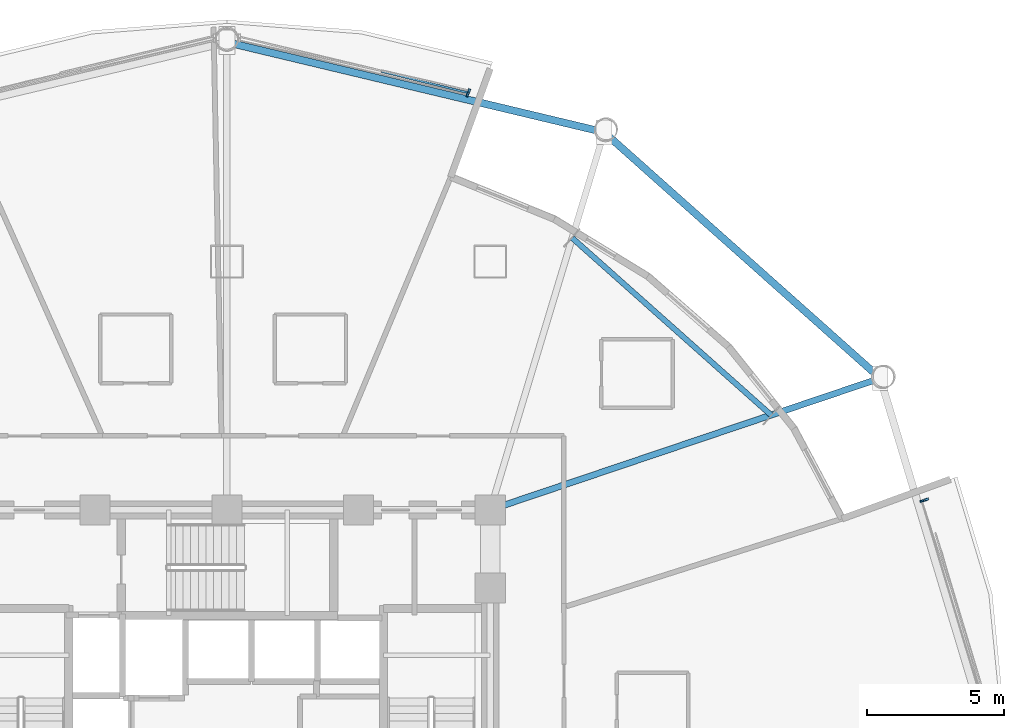
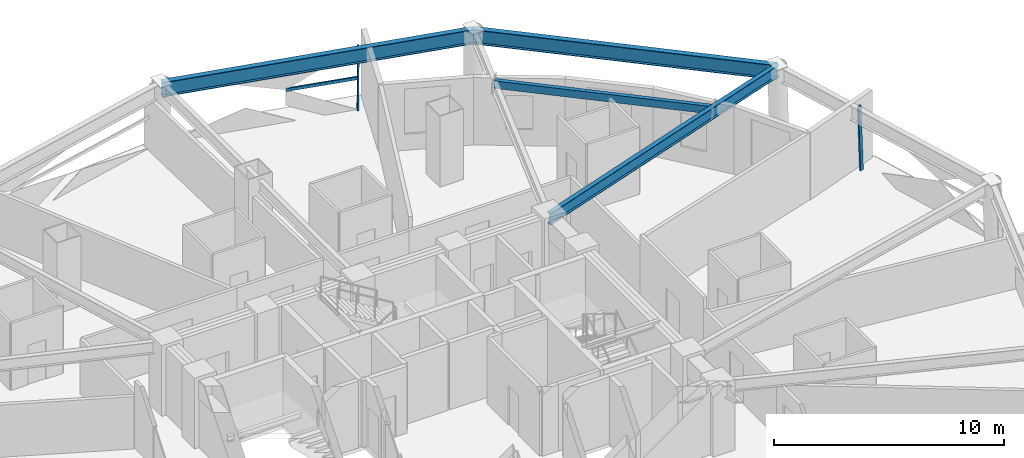
# One storey, part 5 of 16: 4 beams, 3 members, 2 elements without a shape of their own.
"""IFC4 building model written with IfcOpenShell, lengths in metres."""

from ifc_helpers import new_model, si_unit, direction, frame, origin, origin_2d, place, context, subcontext, project, spatial, hollow_rectangle, i_section, extrude, material, layer, layer_set, material_profile, profile_set, type_object, element, aggregate, save


model = new_model("IFC4")

# Units and contexts
model_context = context("Model", 3, precision=1e-05, world=origin(), true_north=direction((0.0, 1.0)))
body_context = subcontext(model_context, "Body", "Model", "MODEL_VIEW")
ifc_project = project(units=[si_unit("LENGTHUNIT", "METRE"), si_unit("AREAUNIT", "SQUARE_METRE"), si_unit("VOLUMEUNIT", "CUBIC_METRE"), si_unit("PLANEANGLEUNIT", "RADIAN"), si_unit("MASSUNIT", "GRAM", prefix="KILO")], contexts=[model_context])

# Site, building, storey
site_placement = place(None, origin())
site = spatial("IfcSite", under=ifc_project, at=site_placement, CompositionType="ELEMENT")
building_placement = place(site_placement, origin())
building = spatial("IfcBuilding", under=site, at=building_placement, Name="Vantalir Tower", CompositionType="ELEMENT")
storey_placement = place(building_placement, frame((0.0, 0.0, 75.75)))
storey = spatial("IfcBuildingStorey", under=building, at=storey_placement, Name="L18", CompositionType="ELEMENT", Elevation=75.75)

# Beams
ifc_material_1 = material(Name="Steel S355", Category="steel")
ifc_material_profile_1 = material_profile(ifc_material_1, i_section(OverallWidth=0.22998046875, OverallDepth=0.616943359375, WebThickness=0.01318359375, FlangeThickness=0.022216796875, at=origin_2d()), Name="Steel S355")
ifc_profile_set_1 = profile_set([ifc_material_profile_1], Name="Steel S355")
beam_type_1 = type_object("IfcBeamType", Name="BM-RB-610x229", PredefinedType="BEAM", material=ifc_profile_set_1)
beam_1_placement = place(storey_placement, frame((55.31591796875, 37.2470703125, 3.261962890625), z_axis=(-0.947506822468, -0.319735549129, 0.0), x_axis=(0.319735549129, -0.947506822468, 0.0)))
element("IfcBeam", 1, at=beam_1_placement, inside=storey, type_object=beam_type_1, Name="L18 Radial Floor Beam 02", PredefinedType="BEAM", context=body_context, shape_type="SweptSolid", body=[
    extrude(i_section(OverallWidth=0.22998046875, OverallDepth=0.616943359375, WebThickness=0.01318359375, FlangeThickness=0.022216796875, at=origin_2d()), origin(), (0.0, 0.0, 1.0), 15.00341796875),
])
ifc_material_2 = material(Name="Steel S460", Category="steel")
ifc_material_profile_2 = material_profile(ifc_material_2, i_section(OverallWidth=0.26806640625, OverallDepth=0.77001953125, WebThickness=0.015625, FlangeThickness=0.025390625, at=origin_2d()), Name="Steel S460")
ifc_profile_set_2 = profile_set([ifc_material_profile_2], Name="Steel S460")
beam_type_2 = type_object("IfcBeamType", Name="BM-RG-762x267", PredefinedType="USERDEFINED", material=ifc_profile_set_2)
beam_2_placement = place(storey_placement, frame((55.31591796875, 37.2470703125, 3.18505859375), z_axis=(-0.746733439209, 0.665123425213, 0.0), x_axis=(-0.665123425213, -0.746733439209, 0.0)))
element("IfcBeam", 2, at=beam_2_placement, inside=storey, type_object=beam_type_2, Name="L18 Circumferential Ring Girder 02", ObjectType="GIRDER", PredefinedType="USERDEFINED", context=body_context, shape_type="SweptSolid", body=[
    extrude(i_section(OverallWidth=0.26806640625, OverallDepth=0.77001953125, WebThickness=0.015625, FlangeThickness=0.025390625, at=origin_2d()), origin(), (0.0, 0.0, 1.0), 13.47998046875),
])
beam_3_placement = place(storey_placement, frame((45.25, 46.212890625, 3.18505859375), z_axis=(-0.972671890468, 0.232183964763, 0.0), x_axis=(-0.232183964763, -0.972671890468, 0.0)))
element("IfcBeam", 3, at=beam_3_placement, inside=storey, type_object=beam_type_2, Name="L18 Circumferential Ring Girder 03", ObjectType="GIRDER", PredefinedType="USERDEFINED", context=body_context, shape_type="SweptSolid", body=[
    extrude(i_section(OverallWidth=0.26806640625, OverallDepth=0.77001953125, WebThickness=0.015625, FlangeThickness=0.025390625, at=origin_2d()), origin(), (0.0, 0.0, 1.0), 14.13623046875),
])
ifc_material_profile_3 = material_profile(ifc_material_1, hollow_rectangle(XDim=0.199951171875, YDim=0.39990234375, WallThickness=0.01611328125, at=origin_2d()), Name="Steel S355")
ifc_profile_set_3 = profile_set([ifc_material_profile_3], Name="Steel S355")
beam_type_3 = type_object("IfcBeamType", Name="BM-SP-400x200", PredefinedType="LINTEL", material=ifc_profile_set_3)
beam_4_placement = place(storey_placement, frame((51.3359375, 35.904052734375, 3.3701171875), z_axis=(-0.746788629303, 0.66506145817, 0.0), x_axis=(-0.66506145817, -0.746788629303, 0.0)))
element("IfcBeam", 4, at=beam_4_placement, inside=storey, type_object=beam_type_3, Name="L18 SG1 Recessed Edge Lintel 1", PredefinedType="LINTEL", context=body_context, shape_type="SweptSolid", body=[
    extrude(hollow_rectangle(XDim=0.199951171875, YDim=0.39990234375, WallThickness=0.01611328125, at=origin_2d()), origin(), (0.0, 0.0, 1.0), 9.70556640625),
])

# Curtain wall, member
ifc_material_3 = material(Name="Champagne-silver PVDF aluminium and double-silver Low-E glass", Category="aluminium")
ifc_layer = layer(ifc_material_3, 0.18994140625)
ifc_layer_set = layer_set([ifc_layer], Name="Champagne-silver PVDF aluminium and double-silver Low-E glass")
curtain_wall_type = type_object("IfcCurtainWallType", Name="CW-DIAMOND-Z1", PredefinedType="USERDEFINED", material=ifc_layer_set)
curtain_wall_1_placement = place(storey_placement, origin())
curtain_wall_1 = element("IfcCurtainWall", 5, at=curtain_wall_1_placement, inside=storey, type_object=curtain_wall_type, Name="L18 Quilted Pyramid-Diamond Curtain Wall S01", ObjectType="UNITISED CURTAIN WALL", PredefinedType="USERDEFINED")
ifc_material_4 = material(Name="Champagne-silver PVDF aluminium 6063-T6", Category="aluminium")
ifc_material_profile_4 = material_profile(ifc_material_4, hollow_rectangle(XDim=0.074951171875, YDim=0.179931640625, WallThickness=0.00390625, at=origin_2d()), Name="Champagne-silver PVDF aluminium 6063-T6")
ifc_profile_set_4 = profile_set([ifc_material_profile_4], Name="Champagne-silver PVDF aluminium 6063-T6")
member_type_1 = type_object("IfcMemberType", Name="CWM-180x75", PredefinedType="MULLION", material=ifc_profile_set_4)
member_1_placement = place(storey_placement, frame((56.989013671875, 32.822998046875, 0.044921875), z_axis=(-0.03932365528, -0.012897598167, 0.999143284067), x_axis=(0.311650952868, -0.950196655212, 0.0)))
member_1 = element("IfcMember", 6, at=member_1_placement, type_object=member_type_1, Name="CW-L18-S01 Mullion 2", PredefinedType="MULLION", context=body_context, shape_type="SweptSolid", body=[
    extrude(hollow_rectangle(XDim=0.074951171875, YDim=0.179931640625, WallThickness=0.00390625, at=origin_2d()), origin(), (0.0, 0.0, 1.0), 3.48291015625),
])
aggregate(curtain_wall_1, [member_1])

# Curtain wall, members
curtain_wall_2_placement = place(storey_placement, origin())
curtain_wall_2 = element("IfcCurtainWall", 7, at=curtain_wall_2_placement, inside=storey, type_object=curtain_wall_type, Name="L18 Quilted Pyramid-Diamond Curtain Wall S03", ObjectType="UNITISED CURTAIN WALL", PredefinedType="USERDEFINED")
member_2_placement = place(storey_placement, frame((40.322998046875, 47.7119140625, 0.044921875), z_axis=(-0.014371638738, -0.034982671856, 0.999284578421), x_axis=(0.924984915778, -0.380003823115, 0.0)))
member_2 = element("IfcMember", 8, at=member_2_placement, type_object=member_type_1, Name="CW-L18-S03 Mullion 1", PredefinedType="MULLION", context=body_context, shape_type="SweptSolid", body=[
    extrude(hollow_rectangle(XDim=0.074951171875, YDim=0.179931640625, WallThickness=0.00390625, at=origin_2d()), origin(), (0.0, 0.0, 1.0), 3.482421875),
])
ifc_material_profile_5 = material_profile(ifc_material_4, hollow_rectangle(XDim=0.074951171875, YDim=0.159912109375, WallThickness=0.00390625, at=origin_2d()), Name="Champagne-silver PVDF aluminium 6063-T6")
ifc_profile_set_5 = profile_set([ifc_material_profile_5], Name="Champagne-silver PVDF aluminium 6063-T6")
member_type_2 = type_object("IfcMemberType", Name="CWT-160x75", PredefinedType="USERDEFINED", material=ifc_profile_set_5)
member_3_placement = place(storey_placement, frame((40.298095703125, 47.65087890625, 1.784912109375), z_axis=(-0.970930555237, 0.239361352159, 0.0), x_axis=(-0.239361352159, -0.970930555237, 0.0)))
member_3 = element("IfcMember", 9, at=member_3_placement, type_object=member_type_2, Name="CW-L18-S03 Pyramid Fold Ridge Transom", ObjectType="TRANSOM", PredefinedType="USERDEFINED", context=body_context, shape_type="SweptSolid", body=[
    extrude(hollow_rectangle(XDim=0.074951171875, YDim=0.159912109375, WallThickness=0.00390625, at=origin_2d()), origin(), (0.0, 0.0, 1.0), 3.2587890625),
])
aggregate(curtain_wall_2, [member_2, member_3])

save(model, "model.ifc")
